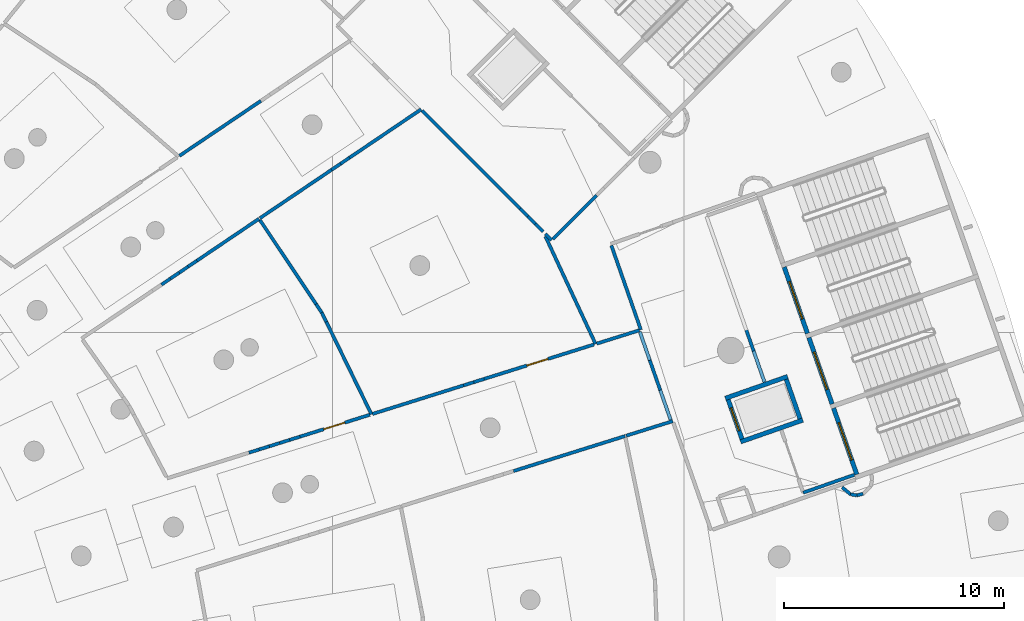
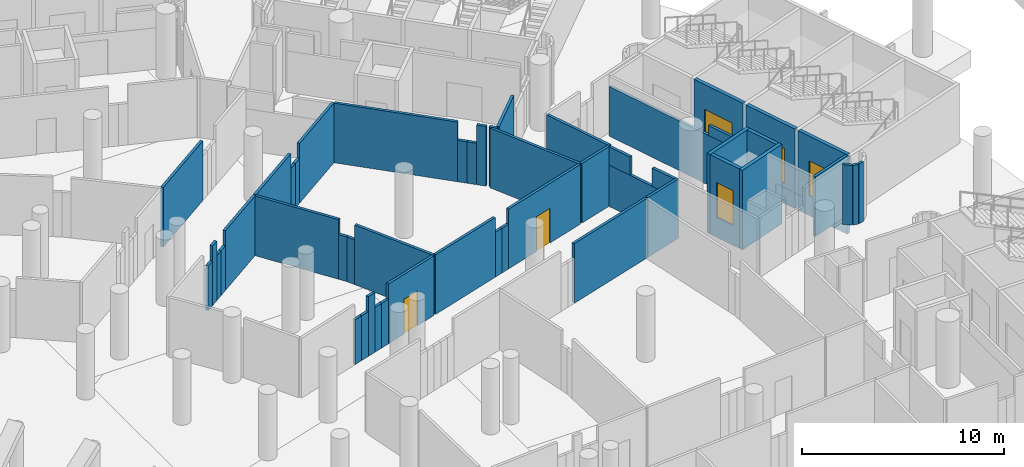
# One storey, part 86 of 142: 51 walls, 6 doors, 6 openings.
"""IFC4 building model written with IfcOpenShell, lengths in metres."""

from ifc_helpers import new_model, si_unit, direction, frame, frame_2d, origin, place, context, subcontext, project, spatial, rectangle, extrude, material, layer, layer_set, type_object, element, fill, save


model = new_model("IFC4")

# Units and contexts
model_context = context("Model", 3, precision=1e-05, world=origin(), true_north=direction((0.0, 1.0)))
body_context = subcontext(model_context, "Body", "Model", "MODEL_VIEW")
ifc_project = project(units=[si_unit("LENGTHUNIT", "METRE"), si_unit("AREAUNIT", "SQUARE_METRE"), si_unit("VOLUMEUNIT", "CUBIC_METRE"), si_unit("PLANEANGLEUNIT", "RADIAN"), si_unit("MASSUNIT", "GRAM", prefix="KILO")], contexts=[model_context])

# Site, building, storey
site_placement = place(None, origin())
site = spatial("IfcSite", under=ifc_project, at=site_placement, CompositionType="ELEMENT")
building_placement = place(site_placement, origin())
building = spatial("IfcBuilding", under=site, at=building_placement, Name="Meseta Stadium", CompositionType="ELEMENT")
storey_placement = place(building_placement, frame((0.0, 0.0, -4.0)))
storey = spatial("IfcBuildingStorey", under=building, at=storey_placement, Name="B1", CompositionType="ELEMENT", Elevation=-4.0)

# Wall, opening, door
ifc_material_1 = material(Name="Concrete C40/50", Category="concrete")
ifc_layer_1 = layer(ifc_material_1, 0.199951171875)
ifc_layer_set_1 = layer_set([ifc_layer_1], Name="Core shaft wall 200")
wall_type_1 = type_object("IfcWallType", Name="Core shaft wall 200", PredefinedType="SHEAR", material=ifc_layer_set_1)
wall_1_placement = place(storey_placement, frame((87.85595703125, 57.547607421875, -1.199951171875), z_axis=(0.0, 0.0, 1.0), x_axis=(-0.330268863922, 0.943886898693, 0.0)))
wall_1 = element("IfcWall", 1, at=wall_1_placement, inside=storey, type_object=wall_type_1, Name="Core 06 B1 stair A1 inner end wall", PredefinedType="SHEAR", context=body_context, shape_type="SweptSolid", body=[
    extrude(rectangle(XDim=3.2001953125, YDim=0.199951171875, at=frame_2d((1.60009765625, 0.0))), origin(), (0.0, 0.0, 1.0), 4.800048828125),
])
opening_1_placement = place(wall_1_placement, frame((0.699951171875, 0.0, 1.199951171875)))
opening_1 = element("IfcOpeningElement", 2, at=opening_1_placement, cuts=wall_1, Name="Opening D091", PredefinedType="OPENING", context=body_context, shape_type="SweptSolid", body=[
    extrude(rectangle(XDim=1.800048828125, YDim=2.10009765625, at=frame_2d((0.89990234375, 1.050048828125))), frame((0.0, 0.10986328125, 0.0), z_axis=(0.0, -1.0, 0.0), x_axis=(1.0, 0.0, 0.0)), (0.0, 0.0, 1.0), 0.219970703125),
])
ifc_material_2 = material(Name="Steel", Category="steel")
door_type_1 = type_object("IfcDoorType", Name="Stair door 1800x2100", OperationType="DOUBLE_DOOR_SINGLE_SWING", PredefinedType="DOOR", material=ifc_material_2)
door_1_placement = place(opening_1_placement, origin())
door_1 = element("IfcDoor", 3, at=door_1_placement, inside=storey, type_object=door_type_1, Name="Stair A1 door 06 B1", OperationType="DOUBLE_DOOR_SINGLE_SWING", OverallHeight=2.10009765625, OverallWidth=1.800048828125, PredefinedType="DOOR", context=body_context, shape_type="SweptSolid", body=[
    extrude(rectangle(XDim=1.800048828125, YDim=2.10009765625, at=frame_2d((0.89990234375, 1.050048828125))), frame((0.0, 0.02490234375, 0.0), z_axis=(0.0, -1.0, 0.0), x_axis=(1.0, 0.0, 0.0)), (0.0, 0.0, 1.0), 0.050048828125),
])
fill(opening_1, door_1)

wall_2_placement = place(storey_placement, frame((86.73291015625, 60.7568359375, -1.199951171875), z_axis=(0.0, 0.0, 1.0), x_axis=(-0.330268863922, 0.943886898693, 0.0)))
wall_2 = element("IfcWall", 4, at=wall_2_placement, inside=storey, type_object=wall_type_1, Name="Core 06 B1 stair A2 inner end wall", PredefinedType="SHEAR", context=body_context, shape_type="SweptSolid", body=[
    extrude(rectangle(XDim=3.2001953125, YDim=0.199951171875, at=frame_2d((1.60009765625, 0.0))), origin(), (0.0, 0.0, 1.0), 4.800048828125),
])
opening_2_placement = place(wall_2_placement, frame((0.699951171875, 0.0, 1.199951171875)))
opening_2 = element("IfcOpeningElement", 5, at=opening_2_placement, cuts=wall_2, Name="Opening D092", PredefinedType="OPENING", context=body_context, shape_type="SweptSolid", body=[
    extrude(rectangle(XDim=1.800048828125, YDim=2.10009765625, at=frame_2d((0.89990234375, 1.050048828125))), frame((0.0, 0.10986328125, 0.0), z_axis=(0.0, -1.0, 0.0), x_axis=(1.0, 0.0, 0.0)), (0.0, 0.0, 1.0), 0.219970703125),
])
door_2_placement = place(opening_2_placement, origin())
door_2 = element("IfcDoor", 6, at=door_2_placement, inside=storey, type_object=door_type_1, Name="Stair A2 door 06 B1", OperationType="DOUBLE_DOOR_SINGLE_SWING", OverallHeight=2.10009765625, OverallWidth=1.800048828125, PredefinedType="DOOR", context=body_context, shape_type="SweptSolid", body=[
    extrude(rectangle(XDim=1.800048828125, YDim=2.10009765625, at=frame_2d((0.89990234375, 1.050048828125))), frame((0.0, 0.02490234375, 0.0), z_axis=(0.0, -1.0, 0.0), x_axis=(1.0, 0.0, 0.0)), (0.0, 0.0, 1.0), 0.050048828125),
])
fill(opening_2, door_2)

wall_3_placement = place(storey_placement, frame((85.610107421875, 63.966064453125, -1.199951171875), z_axis=(0.0, 0.0, 1.0), x_axis=(-0.330268863922, 0.943886898693, 0.0)))
wall_3 = element("IfcWall", 7, at=wall_3_placement, inside=storey, type_object=wall_type_1, Name="Core 06 B1 stair B1 inner end wall", PredefinedType="SHEAR", context=body_context, shape_type="SweptSolid", body=[
    extrude(rectangle(XDim=3.2001953125, YDim=0.199951171875, at=frame_2d((1.60009765625, 0.0))), origin(), (0.0, 0.0, 1.0), 4.800048828125),
])
opening_3_placement = place(wall_3_placement, frame((0.699951171875, 0.0, 1.199951171875)))
opening_3 = element("IfcOpeningElement", 8, at=opening_3_placement, cuts=wall_3, Name="Opening D093", PredefinedType="OPENING", context=body_context, shape_type="SweptSolid", body=[
    extrude(rectangle(XDim=1.800048828125, YDim=2.10009765625, at=frame_2d((0.89990234375, 1.050048828125))), frame((0.0, 0.10986328125, 0.0), z_axis=(0.0, -1.0, 0.0), x_axis=(1.0, 0.0, 0.0)), (0.0, 0.0, 1.0), 0.219970703125),
])
door_3_placement = place(opening_3_placement, origin())
door_3 = element("IfcDoor", 9, at=door_3_placement, inside=storey, type_object=door_type_1, Name="Stair B1 door 06 B1", OperationType="DOUBLE_DOOR_SINGLE_SWING", OverallHeight=2.10009765625, OverallWidth=1.800048828125, PredefinedType="DOOR", context=body_context, shape_type="SweptSolid", body=[
    extrude(rectangle(XDim=1.800048828125, YDim=2.10009765625, at=frame_2d((0.89990234375, 1.050048828125))), frame((0.0, 0.02490234375, 0.0), z_axis=(0.0, -1.0, 0.0), x_axis=(1.0, 0.0, 0.0)), (0.0, 0.0, 1.0), 0.050048828125),
])
fill(opening_3, door_3)

# Walls
wall_4_placement = place(storey_placement, frame((85.39990234375, 60.025390625, -1.199951171875), z_axis=(0.0, 0.0, 1.0), x_axis=(-0.943900215722, -0.330230802259, 0.0)))
element("IfcWall", 10, at=wall_4_placement, inside=storey, type_object=wall_type_1, Name="Core 06 B1 lift shaft wall left", PredefinedType="SHEAR", context=body_context, shape_type="SweptSolid", body=[
    extrude(rectangle(XDim=3.0, YDim=0.199951171875, at=frame_2d((1.5, 0.0))), origin(), (0.0, 0.0, 1.0), 4.800048828125),
])
wall_5_placement = place(storey_placement, frame((84.706298828125, 62.0078125, -1.199951171875), z_axis=(0.0, 0.0, 1.0), x_axis=(-0.943874847782, -0.330303302625, 0.0)))
element("IfcWall", 11, at=wall_5_placement, inside=storey, type_object=wall_type_1, Name="Core 06 B1 lift shaft wall right", PredefinedType="SHEAR", context=body_context, shape_type="SweptSolid", body=[
    extrude(rectangle(XDim=3.000244140625, YDim=0.199951171875, at=frame_2d((1.5, 0.0))), origin(), (0.0, 0.0, 1.0), 4.800048828125),
])
wall_6_placement = place(storey_placement, frame((85.272216796875, 60.0869140625, -1.199951171875), z_axis=(0.0, 0.0, 1.0), x_axis=(-0.330224505327, 0.943902418729, 0.0)))
element("IfcWall", 12, at=wall_6_placement, inside=storey, type_object=wall_type_1, Name="Core 06 B1 lift shaft back wall", PredefinedType="SHEAR", context=body_context, shape_type="SweptSolid", body=[
    extrude(rectangle(XDim=1.900146484375, YDim=0.199951171875, at=frame_2d((0.9501953125, 0.0))), origin(), (0.0, 0.0, 1.0), 4.800048828125),
])

# Wall, opening, door
wall_7_placement = place(storey_placement, frame((82.62939453125, 59.162109375, -1.199951171875), z_axis=(0.0, 0.0, 1.0), x_axis=(-0.330224505327, 0.943902418729, 0.0)))
wall_7 = element("IfcWall", 13, at=wall_7_placement, inside=storey, type_object=wall_type_1, Name="Core 06 B1 lift shaft front wall", PredefinedType="SHEAR", context=body_context, shape_type="SweptSolid", body=[
    extrude(rectangle(XDim=1.900146484375, YDim=0.199951171875, at=frame_2d((0.9501953125, 0.0))), origin(), (0.0, 0.0, 1.0), 4.800048828125),
])
opening_4_placement = place(wall_7_placement, frame((0.39990234375, 0.0, 1.199951171875)))
opening_4 = element("IfcOpeningElement", 14, at=opening_4_placement, cuts=wall_7, Name="Opening LD31", PredefinedType="OPENING", context=body_context, shape_type="SweptSolid", body=[
    extrude(rectangle(XDim=1.10009765625, YDim=2.10009765625, at=frame_2d((0.550048828125, 1.050048828125))), frame((0.0, 0.10986328125, 0.0), z_axis=(0.0, -1.0, 0.0), x_axis=(1.0, 0.0, 0.0)), (0.0, 0.0, 1.0), 0.219970703125),
])
ifc_material_3 = material(Name="Steel", Category="steel")
door_type_2 = type_object("IfcDoorType", Name="Lift landing door 1100x2100", OperationType="SLIDING_TO_LEFT", PredefinedType="DOOR", material=ifc_material_3)
door_4_placement = place(opening_4_placement, origin())
door_4 = element("IfcDoor", 15, at=door_4_placement, inside=storey, type_object=door_type_2, Name="Lift landing door LD31", OperationType="SLIDING_TO_LEFT", OverallHeight=2.10009765625, OverallWidth=1.10009765625, PredefinedType="DOOR", context=body_context, shape_type="SweptSolid", body=[
    extrude(rectangle(XDim=1.10009765625, YDim=2.10009765625, at=frame_2d((0.550048828125, 1.050048828125))), frame((0.0, 0.02490234375, 0.0), z_axis=(0.0, -1.0, 0.0), x_axis=(1.0, 0.0, 0.0)), (0.0, 0.0, 1.0), 0.050048828125),
])
fill(opening_4, door_4)

# Walls
ifc_material_4 = material(Name="Masonry blockwork", Category="masonry")
ifc_layer_2 = layer(ifc_material_4, 0.14990234375)
ifc_layer_set_2 = layer_set([ifc_layer_2], Name="Partition 150")
wall_type_2 = type_object("IfcWallType", Name="Partition 150", PredefinedType="PARTITIONING", material=ifc_layer_set_2)
wall_8_placement = place(storey_placement, frame((72.2333984375, 57.705078125, 0.0), z_axis=(0.0, 0.0, 1.0), x_axis=(0.954189100371, 0.299204212426, 0.0)))
element("IfcWall", 16, at=wall_8_placement, inside=storey, type_object=wall_type_2, Name="Partition B1 B1-cell04-2-0", PredefinedType="PARTITIONING", context=body_context, shape_type="SweptSolid", body=[
    extrude(rectangle(XDim=5.324951171875, YDim=0.14990234375, at=frame_2d((2.66259765625, 0.0))), origin(), (0.0, 0.0, 1.0), 3.60009765625),
])
wall_9_placement = place(storey_placement, frame((77.3623046875, 59.313232421875, 0.0), z_axis=(0.0, 0.0, 1.0), x_axis=(0.954198139725, 0.299175383588, 0.0)))
element("IfcWall", 17, at=wall_9_placement, inside=storey, type_object=wall_type_2, Name="Partition B1 B1-cell04-3-0", PredefinedType="PARTITIONING", context=body_context, shape_type="SweptSolid", body=[
    extrude(rectangle(XDim=2.222900390625, YDim=0.14990234375, at=frame_2d((1.111328125, 0.0))), origin(), (0.0, 0.0, 1.0), 3.60009765625),
])
wall_10_placement = place(storey_placement, frame((56.21484375, 66.18896484375, 0.0), z_axis=(0.0, 0.0, 1.0), x_axis=(0.828796357195, 0.559550353678, 0.0)))
element("IfcWall", 18, at=wall_10_placement, inside=storey, type_object=wall_type_2, Name="Partition B1 B1-cell05-1-0", PredefinedType="PARTITIONING", context=body_context, shape_type="SweptSolid", body=[
    extrude(rectangle(XDim=0.48681640625, YDim=0.14990234375, at=frame_2d((0.243408203125, 0.0))), origin(), (0.0, 0.0, 1.0), 2.699951171875),
])
wall_11_placement = place(storey_placement, frame((56.618408203125, 66.46142578125, 0.0), z_axis=(0.0, 0.0, 1.0), x_axis=(0.828953242646, 0.559317907372, 0.0)))
element("IfcWall", 19, at=wall_11_placement, inside=storey, type_object=wall_type_2, Name="Partition B1 B1-cell05-1-0", PredefinedType="PARTITIONING", context=body_context, shape_type="SweptSolid", body=[
    extrude(rectangle(XDim=0.487060546875, YDim=0.14990234375, at=frame_2d((0.24365234375, 0.0))), origin(), (0.0, 0.0, 1.0), 3.60009765625),
])
wall_12_placement = place(storey_placement, frame((57.022216796875, 66.73388671875, 0.0), z_axis=(0.0, 0.0, 1.0), x_axis=(0.828563830016, 0.559894614717, 0.0)))
element("IfcWall", 20, at=wall_12_placement, inside=storey, type_object=wall_type_2, Name="Partition B1 B1-cell05-1-0", PredefinedType="PARTITIONING", context=body_context, shape_type="SweptSolid", body=[
    extrude(rectangle(XDim=0.487060546875, YDim=0.14990234375, at=frame_2d((0.24365234375, 0.0))), origin(), (0.0, 0.0, 1.0), 2.699951171875),
])
wall_13_placement = place(storey_placement, frame((57.42578125, 67.006591796875, 0.0), z_axis=(0.0, 0.0, 1.0), x_axis=(0.828796357195, 0.559550353678, 0.0)))
element("IfcWall", 21, at=wall_13_placement, inside=storey, type_object=wall_type_2, Name="Partition B1 B1-cell05-1-0", PredefinedType="PARTITIONING", context=body_context, shape_type="SweptSolid", body=[
    extrude(rectangle(XDim=0.48681640625, YDim=0.14990234375, at=frame_2d((0.243408203125, 0.0))), origin(), (0.0, 0.0, 1.0), 2.699951171875),
])
wall_14_placement = place(storey_placement, frame((57.829345703125, 67.279052734375, 0.0), z_axis=(0.0, 0.0, 1.0), x_axis=(0.828841201566, 0.559483925226, 0.0)))
element("IfcWall", 22, at=wall_14_placement, inside=storey, type_object=wall_type_2, Name="Partition B1 B1-cell05-1-0", PredefinedType="PARTITIONING", context=body_context, shape_type="SweptSolid", body=[
    extrude(rectangle(XDim=3.408935546875, YDim=0.14990234375, at=frame_2d((1.70458984375, 0.0))), origin(), (0.0, 0.0, 1.0), 3.60009765625),
])
wall_15_placement = place(storey_placement, frame((60.696533203125, 69.1240234375, 0.0), z_axis=(0.0, 0.0, 1.0), x_axis=(0.555582071925, -0.831461701677, 0.0)))
element("IfcWall", 23, at=wall_15_placement, inside=storey, type_object=wall_type_2, Name="Partition B1 B1-cell05-1-0", PredefinedType="PARTITIONING", context=body_context, shape_type="SweptSolid", body=[
    extrude(rectangle(XDim=4.59814453125, YDim=0.14990234375, at=frame_2d((2.299072265625, 0.0))), origin(), (0.0, 0.0, 1.0), 3.60009765625),
])
wall_16_placement = place(storey_placement, frame((63.251220703125, 65.30078125, 0.0), z_axis=(0.0, 0.0, 1.0), x_axis=(0.555302810798, -0.831648235927, 0.0)))
element("IfcWall", 24, at=wall_16_placement, inside=storey, type_object=wall_type_2, Name="Partition B1 B1-cell05-1-0", PredefinedType="PARTITIONING", context=body_context, shape_type="SweptSolid", body=[
    extrude(rectangle(XDim=0.46728515625, YDim=0.14990234375, at=frame_2d((0.233642578125, 0.0))), origin(), (0.0, 0.0, 1.0), 2.699951171875),
])
wall_17_placement = place(storey_placement, frame((63.5107421875, 64.912109375, 0.0), z_axis=(0.0, 0.0, 1.0), x_axis=(0.439050948337, -0.898462166574, 0.0)))
element("IfcWall", 25, at=wall_17_placement, inside=storey, type_object=wall_type_2, Name="Partition B1 B1-cell05-1-0", PredefinedType="PARTITIONING", context=body_context, shape_type="SweptSolid", body=[
    extrude(rectangle(XDim=0.467529296875, YDim=0.14990234375, at=frame_2d((0.23388671875, 0.0))), origin(), (0.0, 0.0, 1.0), 2.699951171875),
])
wall_18_placement = place(storey_placement, frame((63.716064453125, 64.491943359375, 0.0), z_axis=(0.0, 0.0, 1.0), x_axis=(0.438947034321, -0.898512938728, 0.0)))
element("IfcWall", 26, at=wall_18_placement, inside=storey, type_object=wall_type_2, Name="Partition B1 B1-cell05-1-0", PredefinedType="PARTITIONING", context=body_context, shape_type="SweptSolid", body=[
    extrude(rectangle(XDim=4.677001953125, YDim=0.14990234375, at=frame_2d((2.33837890625, 0.0))), origin(), (0.0, 0.0, 1.0), 3.60009765625),
])

# Wall, opening, door
wall_19_placement = place(storey_placement, frame((65.696533203125, 60.266845703125, 0.0), z_axis=(0.0, 0.0, 1.0), x_axis=(-0.95420717929, -0.299146551026, 0.0)))
wall_19 = element("IfcWall", 27, at=wall_19_placement, inside=storey, type_object=wall_type_2, Name="Partition B1 B1-cell05-1-0", PredefinedType="PARTITIONING", context=body_context, shape_type="SweptSolid", body=[
    extrude(rectangle(XDim=3.3330078125, YDim=0.14990234375, at=frame_2d((1.66650390625, 0.0))), origin(), (0.0, 0.0, 1.0), 3.60009765625),
])
opening_5_placement = place(wall_19_placement, frame((1.199951171875, 0.0, 0.0)))
opening_5 = element("IfcOpeningElement", 28, at=opening_5_placement, cuts=wall_19, Name="Opening D448", PredefinedType="OPENING", context=body_context, shape_type="SweptSolid", body=[
    extrude(rectangle(XDim=1.0, YDim=2.10009765625, at=frame_2d((0.5, 1.050048828125))), frame((0.0, 0.0849609375, 0.0), z_axis=(0.0, -1.0, 0.0), x_axis=(1.0, 0.0, 0.0)), (0.0, 0.0, 1.0), 0.169921875),
])
ifc_material_5 = material(Name="Steel", Category="steel")
door_type_3 = type_object("IfcDoorType", Name="Fire door 1000x2100 EI2 120", OperationType="NOTDEFINED", PredefinedType="DOOR", material=ifc_material_5)
door_5_placement = place(opening_5_placement, origin())
door_5 = element("IfcDoor", 29, at=door_5_placement, inside=storey, type_object=door_type_3, Name="Door D448", OperationType="SINGLE_SWING_LEFT", OverallHeight=2.10009765625, OverallWidth=1.0, PredefinedType="DOOR", context=body_context, shape_type="SweptSolid", body=[
    extrude(rectangle(XDim=1.0, YDim=2.10009765625, at=frame_2d((0.5, 1.050048828125))), frame((0.0, 0.02490234375, 0.0), z_axis=(0.0, -1.0, 0.0), x_axis=(1.0, 0.0, 0.0)), (0.0, 0.0, 1.0), 0.050048828125),
])
fill(opening_5, door_5)

# Walls
wall_20_placement = place(storey_placement, frame((62.51611328125, 59.269775390625, 0.0), z_axis=(0.0, 0.0, 1.0), x_axis=(-0.954194187562, -0.299187988432, 0.0)))
element("IfcWall", 30, at=wall_20_placement, inside=storey, type_object=wall_type_2, Name="Partition B1 B1-cell05-1-0", PredefinedType="PARTITIONING", context=body_context, shape_type="SweptSolid", body=[
    extrude(rectangle(XDim=0.487060546875, YDim=0.14990234375, at=frame_2d((0.24365234375, 0.0))), origin(), (0.0, 0.0, 1.0), 2.699951171875),
])
wall_21_placement = place(storey_placement, frame((62.05126953125, 59.1240234375, 0.0), z_axis=(0.0, 0.0, 1.0), x_axis=(-0.954149295482, -0.299331124226, 0.0)))
element("IfcWall", 31, at=wall_21_placement, inside=storey, type_object=wall_type_2, Name="Partition B1 B1-cell05-1-0", PredefinedType="PARTITIONING", context=body_context, shape_type="SweptSolid", body=[
    extrude(rectangle(XDim=0.48681640625, YDim=0.14990234375, at=frame_2d((0.243408203125, 0.0))), origin(), (0.0, 0.0, 1.0), 2.699951171875),
])
wall_22_placement = place(storey_placement, frame((61.586669921875, 58.978271484375, 0.0), z_axis=(0.0, 0.0, 1.0), x_axis=(-0.954194187562, -0.299187988432, 0.0)))
element("IfcWall", 32, at=wall_22_placement, inside=storey, type_object=wall_type_2, Name="Partition B1 B1-cell05-1-0", PredefinedType="PARTITIONING", context=body_context, shape_type="SweptSolid", body=[
    extrude(rectangle(XDim=0.487060546875, YDim=0.14990234375, at=frame_2d((0.24365234375, 0.0))), origin(), (0.0, 0.0, 1.0), 3.60009765625),
])
wall_23_placement = place(storey_placement, frame((61.121826171875, 58.83251953125, 0.0), z_axis=(0.0, 0.0, 1.0), x_axis=(-0.954292408643, -0.298874553627, 0.0)))
element("IfcWall", 33, at=wall_23_placement, inside=storey, type_object=wall_type_2, Name="Partition B1 B1-cell05-1-0", PredefinedType="PARTITIONING", context=body_context, shape_type="SweptSolid", body=[
    extrude(rectangle(XDim=0.48681640625, YDim=0.14990234375, at=frame_2d((0.243408203125, 0.0))), origin(), (0.0, 0.0, 1.0), 2.699951171875),
])
wall_24_placement = place(storey_placement, frame((60.6572265625, 58.68701171875, 0.0), z_axis=(0.0, 0.0, 1.0), x_axis=(-0.954194187562, -0.299187988432, 0.0)))
element("IfcWall", 34, at=wall_24_placement, inside=storey, type_object=wall_type_2, Name="Partition B1 B1-cell05-1-0", PredefinedType="PARTITIONING", context=body_context, shape_type="SweptSolid", body=[
    extrude(rectangle(XDim=0.487060546875, YDim=0.14990234375, at=frame_2d((0.24365234375, 0.0))), origin(), (0.0, 0.0, 1.0), 2.699951171875),
])
wall_25_placement = place(storey_placement, frame((60.6962890625, 69.21435546875, 0.0), z_axis=(0.0, 0.0, 1.0), x_axis=(0.828825631308, 0.559506990919, 0.0)))
element("IfcWall", 35, at=wall_25_placement, inside=storey, type_object=wall_type_2, Name="Partition B1 B1-cell05-2-0", PredefinedType="PARTITIONING", context=body_context, shape_type="SweptSolid", body=[
    extrude(rectangle(XDim=3.9306640625, YDim=0.14990234375, at=frame_2d((1.96533203125, 0.0))), origin(), (0.0, 0.0, 1.0), 3.60009765625),
])
for number, where, z_axis, x_axis, name in (
    (36, (63.9541015625, 71.41357421875, 0.0), (0.0, 0.0, 1.0), (0.828825631308, 0.559506990919, 0.0), "Partition B1 B1-cell05-2-0"),
    (37, (64.361328125, 71.6884765625, 0.0), (0.0, 0.0, 1.0), (0.828825631308, 0.559506990919, 0.0), "Partition B1 B1-cell05-2-0"),
):
    element("IfcWall", number, at=place(storey_placement, frame(where, z_axis=z_axis, x_axis=x_axis)), inside=storey, type_object=wall_type_2, Name=name, PredefinedType="PARTITIONING", context=body_context, shape_type="SweptSolid", body=[
        extrude(rectangle(XDim=0.4912109375, YDim=0.14990234375, at=frame_2d((0.24560546875, 0.0))), origin(), (0.0, 0.0, 1.0), 2.699951171875),
    ])
wall_26_placement = place(storey_placement, frame((64.7685546875, 71.96337890625, 0.0), z_axis=(0.0, 0.0, 1.0), x_axis=(0.828825631308, 0.559506990919, 0.0)))
element("IfcWall", 38, at=wall_26_placement, inside=storey, type_object=wall_type_2, Name="Partition B1 B1-cell05-2-0", PredefinedType="PARTITIONING", context=body_context, shape_type="SweptSolid", body=[
    extrude(rectangle(XDim=3.9306640625, YDim=0.14990234375, at=frame_2d((1.96533203125, 0.0))), origin(), (0.0, 0.0, 1.0), 3.60009765625),
])
wall_27_placement = place(storey_placement, frame((68.080322265625, 74.108642578125, 0.0), z_axis=(0.0, 0.0, 1.0), x_axis=(0.70712613939, -0.707087422453, 0.0)))
element("IfcWall", 39, at=wall_27_placement, inside=storey, type_object=wall_type_2, Name="Partition B1 B1-cell05-2-0", PredefinedType="PARTITIONING", context=body_context, shape_type="SweptSolid", body=[
    extrude(rectangle(XDim=6.3056640625, YDim=0.14990234375, at=frame_2d((3.15283203125, 0.0))), origin(), (0.0, 0.0, 1.0), 3.60009765625),
])
wall_28_placement = place(storey_placement, frame((72.539306640625, 69.64990234375, 0.0), z_axis=(0.0, 0.0, 1.0), x_axis=(0.706858193837, -0.707355281174, 0.0)))
element("IfcWall", 40, at=wall_28_placement, inside=storey, type_object=wall_type_2, Name="Partition B1 B1-cell05-2-0", PredefinedType="PARTITIONING", context=body_context, shape_type="SweptSolid", body=[
    extrude(rectangle(XDim=0.4912109375, YDim=0.14990234375, at=frame_2d((0.24560546875, 0.0))), origin(), (0.0, 0.0, 1.0), 2.5),
])
wall_29_placement = place(storey_placement, frame((72.886474609375, 69.302490234375, 0.0), z_axis=(0.0, 0.0, 1.0), x_axis=(0.707106781187, -0.707106781187, 0.0)))
element("IfcWall", 41, at=wall_29_placement, inside=storey, type_object=wall_type_2, Name="Partition B1 B1-cell05-2-0", PredefinedType="PARTITIONING", context=body_context, shape_type="SweptSolid", body=[
    extrude(rectangle(XDim=0.49072265625, YDim=0.14990234375, at=frame_2d((0.245361328125, 0.0))), origin(), (0.0, 0.0, 1.0), 2.5),
])
wall_30_placement = place(storey_placement, frame((73.2333984375, 68.95556640625, 0.0), z_axis=(0.0, 0.0, 1.0), x_axis=(0.707355281174, -0.706858193837, 0.0)))
element("IfcWall", 42, at=wall_30_placement, inside=storey, type_object=wall_type_2, Name="Partition B1 B1-cell05-2-0", PredefinedType="PARTITIONING", context=body_context, shape_type="SweptSolid", body=[
    extrude(rectangle(XDim=0.4912109375, YDim=0.14990234375, at=frame_2d((0.24560546875, 0.0))), origin(), (0.0, 0.0, 1.0), 3.60009765625),
])
wall_31_placement = place(storey_placement, frame((73.683837890625, 68.386962890625, 0.0), z_axis=(0.0, 0.0, 1.0), x_axis=(0.42266047211, -0.906288102821, 0.0)))
element("IfcWall", 43, at=wall_31_placement, inside=storey, type_object=wall_type_2, Name="Partition B1 B1-cell05-2-0", PredefinedType="PARTITIONING", context=body_context, shape_type="SweptSolid", body=[
    extrude(rectangle(XDim=5.406005859375, YDim=0.14990234375, at=frame_2d((2.703125, 0.0))), origin(), (0.0, 0.0, 1.0), 3.60009765625),
])

# Wall, opening, door
wall_32_placement = place(storey_placement, frame((75.896484375, 63.46484375, 0.0), z_axis=(0.0, 0.0, 1.0), x_axis=(-0.954201223615, -0.299165547568, 0.0)))
wall_32 = element("IfcWall", 44, at=wall_32_placement, inside=storey, type_object=wall_type_2, Name="Partition B1 B1-cell05-2-0", PredefinedType="PARTITIONING", context=body_context, shape_type="SweptSolid", body=[
    extrude(rectangle(XDim=5.244140625, YDim=0.14990234375, at=frame_2d((2.6220703125, 0.0))), origin(), (0.0, 0.0, 1.0), 3.60009765625),
])
opening_6_placement = place(wall_32_placement, frame((2.199951171875, 0.0, 0.0)))
opening_6 = element("IfcOpeningElement", 45, at=opening_6_placement, cuts=wall_32, Name="Opening D449", PredefinedType="OPENING", context=body_context, shape_type="SweptSolid", body=[
    extrude(rectangle(XDim=1.0, YDim=2.10009765625, at=frame_2d((0.5, 1.050048828125))), frame((0.0, 0.0849609375, 0.0), z_axis=(0.0, -1.0, 0.0), x_axis=(1.0, 0.0, 0.0)), (0.0, 0.0, 1.0), 0.169921875),
])
door_6_placement = place(opening_6_placement, origin())
door_6 = element("IfcDoor", 46, at=door_6_placement, inside=storey, type_object=door_type_3, Name="Door D449", OperationType="SINGLE_SWING_RIGHT", OverallHeight=2.10009765625, OverallWidth=1.0, PredefinedType="DOOR", context=body_context, shape_type="SweptSolid", body=[
    extrude(rectangle(XDim=1.0, YDim=2.10009765625, at=frame_2d((0.5, 1.050048828125))), frame((0.0, 0.02490234375, 0.0), z_axis=(0.0, -1.0, 0.0), x_axis=(1.0, 0.0, 0.0)), (0.0, 0.0, 1.0), 0.050048828125),
])
fill(opening_6, door_6)

# Walls
wall_33_placement = place(storey_placement, frame((70.892578125, 61.89599609375, 0.0), z_axis=(0.0, 0.0, 1.0), x_axis=(-0.954092729202, -0.299511375551, 0.0)))
element("IfcWall", 47, at=wall_33_placement, inside=storey, type_object=wall_type_2, Name="Partition B1 B1-cell05-2-0", PredefinedType="PARTITIONING", context=body_context, shape_type="SweptSolid", body=[
    extrude(rectangle(XDim=0.4833984375, YDim=0.14990234375, at=frame_2d((0.24169921875, 0.0))), origin(), (0.0, 0.0, 1.0), 2.699951171875),
])
wall_34_placement = place(storey_placement, frame((70.431396484375, 61.751220703125, 0.0), z_axis=(0.0, 0.0, 1.0), x_axis=(-0.954327195445, -0.298763458331, 0.0)))
element("IfcWall", 48, at=wall_34_placement, inside=storey, type_object=wall_type_2, Name="Partition B1 B1-cell05-2-0", PredefinedType="PARTITIONING", context=body_context, shape_type="SweptSolid", body=[
    extrude(rectangle(XDim=0.48388671875, YDim=0.14990234375, at=frame_2d((0.241943359375, 0.0))), origin(), (0.0, 0.0, 1.0), 2.699951171875),
])
wall_35_placement = place(storey_placement, frame((69.9697265625, 61.606689453125, 0.0), z_axis=(0.0, 0.0, 1.0), x_axis=(-0.954191084053, -0.299197886211, 0.0)))
element("IfcWall", 49, at=wall_35_placement, inside=storey, type_object=wall_type_2, Name="Partition B1 B1-cell05-2-0", PredefinedType="PARTITIONING", context=body_context, shape_type="SweptSolid", body=[
    extrude(rectangle(XDim=4.3525390625, YDim=0.14990234375, at=frame_2d((2.17626953125, 0.0))), origin(), (0.0, 0.0, 1.0), 3.60009765625),
])
wall_36_placement = place(storey_placement, frame((73.68408203125, 68.5048828125, 0.0), z_axis=(0.0, 0.0, 1.0), x_axis=(0.707106781187, -0.707106781187, 0.0)))
element("IfcWall", 50, at=wall_36_placement, inside=storey, type_object=wall_type_2, Name="Partition B1 B1-cell05-3-0", PredefinedType="PARTITIONING", context=body_context, shape_type="SweptSolid", body=[
    extrude(rectangle(XDim=0.4091796875, YDim=0.14990234375, at=frame_2d((0.20458984375, 0.0))), origin(), (0.0, 0.0, 1.0), 3.60009765625),
])
wall_37_placement = place(storey_placement, frame((74.026611328125, 68.2685546875, 0.0), z_axis=(0.0, 0.0, 1.0), x_axis=(0.707106781187, 0.707106781187, 0.0)))
element("IfcWall", 51, at=wall_37_placement, inside=storey, type_object=wall_type_2, Name="Partition B1 B1-cell05-3-0", PredefinedType="PARTITIONING", context=body_context, shape_type="SweptSolid", body=[
    extrude(rectangle(XDim=2.812255859375, YDim=0.14990234375, at=frame_2d((1.40625, 0.0))), origin(), (0.0, 0.0, 1.0), 3.60009765625),
])
wall_38_placement = place(storey_placement, frame((76.6875, 67.96875, 0.0), z_axis=(0.0, 0.0, 1.0), x_axis=(0.330235334568, -0.943898630046, 0.0)))
element("IfcWall", 52, at=wall_38_placement, inside=storey, type_object=wall_type_2, Name="Partition B1 B1-cell05-3-0", PredefinedType="PARTITIONING", context=body_context, shape_type="SweptSolid", body=[
    extrude(rectangle(XDim=4.063232421875, YDim=0.14990234375, at=frame_2d((2.03173828125, 0.0))), origin(), (0.0, 0.0, 1.0), 3.60009765625),
])
wall_39_placement = place(storey_placement, frame((77.957763671875, 64.111083984375, 0.0), z_axis=(0.0, 0.0, 1.0), x_axis=(-0.954206277419, -0.299149427767, 0.0)))
element("IfcWall", 53, at=wall_39_placement, inside=storey, type_object=wall_type_2, Name="Partition B1 B1-cell05-3-0", PredefinedType="PARTITIONING", context=body_context, shape_type="SweptSolid", body=[
    extrude(rectangle(XDim=2.03466796875, YDim=0.14990234375, at=frame_2d((1.017333984375, 0.0))), origin(), (0.0, 0.0, 1.0), 3.60009765625),
])
wall_40_placement = place(storey_placement, frame((60.73876953125, 74.551513671875, 0.0), z_axis=(0.0, 0.0, 1.0), x_axis=(-0.8288366496, -0.559490668626, 0.0)))
element("IfcWall", 54, at=wall_40_placement, inside=storey, type_object=wall_type_2, Name="Partition B1 B1-cell06-2-0", PredefinedType="PARTITIONING", context=body_context, shape_type="SweptSolid", body=[
    extrude(rectangle(XDim=4.47216796875, YDim=0.14990234375, at=frame_2d((2.236083984375, 0.0))), origin(), (0.0, 0.0, 1.0), 3.60009765625),
])
wall_41_placement = place(storey_placement, frame((81.01953125, 69.28857421875, 0.0), z_axis=(0.0, 0.0, 1.0), x_axis=(0.330263206312, -0.943888878289, 0.0)))
element("IfcWall", 55, at=wall_41_placement, inside=storey, type_object=wall_type_2, Name="Stair vestibule wall B1 core 06", PredefinedType="PARTITIONING", context=body_context, shape_type="SweptSolid", body=[
    extrude(rectangle(XDim=7.97998046875, YDim=0.14990234375, at=frame_2d((3.989990234375, 0.0))), origin(), (0.0, 0.0, 1.0), 3.0),
])
wall_42_placement = place(storey_placement, frame((83.160888671875, 63.168701171875, 3.0), z_axis=(0.0, 0.0, 1.0), x_axis=(0.330241405097, -0.94389650617, 0.0)))
element("IfcWall", 56, at=wall_42_placement, inside=storey, type_object=wall_type_2, Name="Stair vestibule wall B1 core 06", PredefinedType="PARTITIONING", context=body_context, shape_type="SweptSolid", body=[
    extrude(rectangle(XDim=1.496337890625, YDim=0.14990234375, at=frame_2d((0.748046875, 0.0))), origin(), (0.0, 0.0, 1.0), 0.60009765625),
])
wall_43_placement = place(storey_placement, frame((85.417236328125, 56.720703125, 0.0), z_axis=(0.0, 0.0, 1.0), x_axis=(0.943873796239, 0.330306307498, 0.0)))
element("IfcWall", 57, at=wall_43_placement, inside=storey, type_object=wall_type_2, Name="Stair vestibule wall B1 core 06", PredefinedType="PARTITIONING", context=body_context, shape_type="SweptSolid", body=[
    extrude(rectangle(XDim=2.465087890625, YDim=0.14990234375, at=frame_2d((1.232421875, 0.0))), origin(), (0.0, 0.0, 1.0), 3.60009765625),
])
wall_44_placement = place(storey_placement, frame((77.98291015625, 64.039306640625, 0.0), z_axis=(0.0, 0.0, 1.0), x_axis=(0.330276109597, -0.943884363378, 0.0)))
element("IfcWall", 58, at=wall_44_placement, inside=storey, type_object=wall_type_2, Name="Stair vestibule wall B1 core 06", PredefinedType="PARTITIONING", context=body_context, shape_type="SweptSolid", body=[
    extrude(rectangle(XDim=4.24365234375, YDim=0.14990234375, at=frame_2d((2.121826171875, 0.0))), origin(), (0.0, 0.0, 1.0), 2.5),
])
wall_45_placement = place(storey_placement, frame((77.98291015625, 64.039306640625, 2.5), z_axis=(0.0, 0.0, 1.0), x_axis=(0.330231540275, -0.943899957521, 0.0)))
element("IfcWall", 59, at=wall_45_placement, inside=storey, type_object=wall_type_2, Name="Stair vestibule wall B1 core 06", PredefinedType="PARTITIONING", context=body_context, shape_type="SweptSolid", body=[
    extrude(rectangle(XDim=1.3720703125, YDim=0.14990234375, at=frame_2d((0.68603515625, 0.0))), origin(), (0.0, 0.0, 1.0), 1.10009765625),
])
wall_46_placement = place(storey_placement, frame((78.910400390625, 61.388916015625, 2.5), z_axis=(0.0, 0.0, 1.0), x_axis=(0.330221659301, -0.943903414407, 0.0)))
element("IfcWall", 60, at=wall_46_placement, inside=storey, type_object=wall_type_2, Name="Stair vestibule wall B1 core 06", PredefinedType="PARTITIONING", context=body_context, shape_type="SweptSolid", body=[
    extrude(rectangle(XDim=1.435791015625, YDim=0.14990234375, at=frame_2d((0.7177734375, 0.0))), origin(), (0.0, 0.0, 1.0), 1.10009765625),
])
wall_47_placement = place(storey_placement, frame((87.188232421875, 56.96533203125, 0.0), z_axis=(0.0, 0.0, 1.0), x_axis=(0.767460899963, -0.64109575496, 0.0)))
element("IfcWall", 61, at=wall_47_placement, inside=storey, type_object=wall_type_2, Name="Stair vestibule wall B1 core 06", PredefinedType="PARTITIONING", context=body_context, shape_type="SweptSolid", body=[
    extrude(rectangle(XDim=0.50048828125, YDim=0.14990234375, at=frame_2d((0.250244140625, 0.0))), origin(), (0.0, 0.0, 1.0), 3.60009765625),
])
wall_48_placement = place(storey_placement, frame((87.572265625, 56.64453125, 0.0), z_axis=(0.0, 0.0, 1.0), x_axis=(0.98813639707, -0.153578842243, 0.0)))
element("IfcWall", 62, at=wall_48_placement, inside=storey, type_object=wall_type_2, Name="Stair vestibule wall B1 core 06", PredefinedType="PARTITIONING", context=body_context, shape_type="SweptSolid", body=[
    extrude(rectangle(XDim=0.289306640625, YDim=0.14990234375, at=frame_2d((0.14453125, 0.0))), origin(), (0.0, 0.0, 1.0), 3.60009765625),
])
wall_49_placement = place(storey_placement, frame((87.858154296875, 56.60009765625, 0.0), z_axis=(0.0, 0.0, 1.0), x_axis=(0.971709471934, 0.23617938554, 0.0)))
element("IfcWall", 63, at=wall_49_placement, inside=storey, type_object=wall_type_2, Name="Stair vestibule wall B1 core 06", PredefinedType="PARTITIONING", context=body_context, shape_type="SweptSolid", body=[
    extrude(rectangle(XDim=0.28955078125, YDim=0.14990234375, at=frame_2d((0.144775390625, 0.0))), origin(), (0.0, 0.0, 1.0), 3.60009765625),
])

save(model, "model.ifc")
